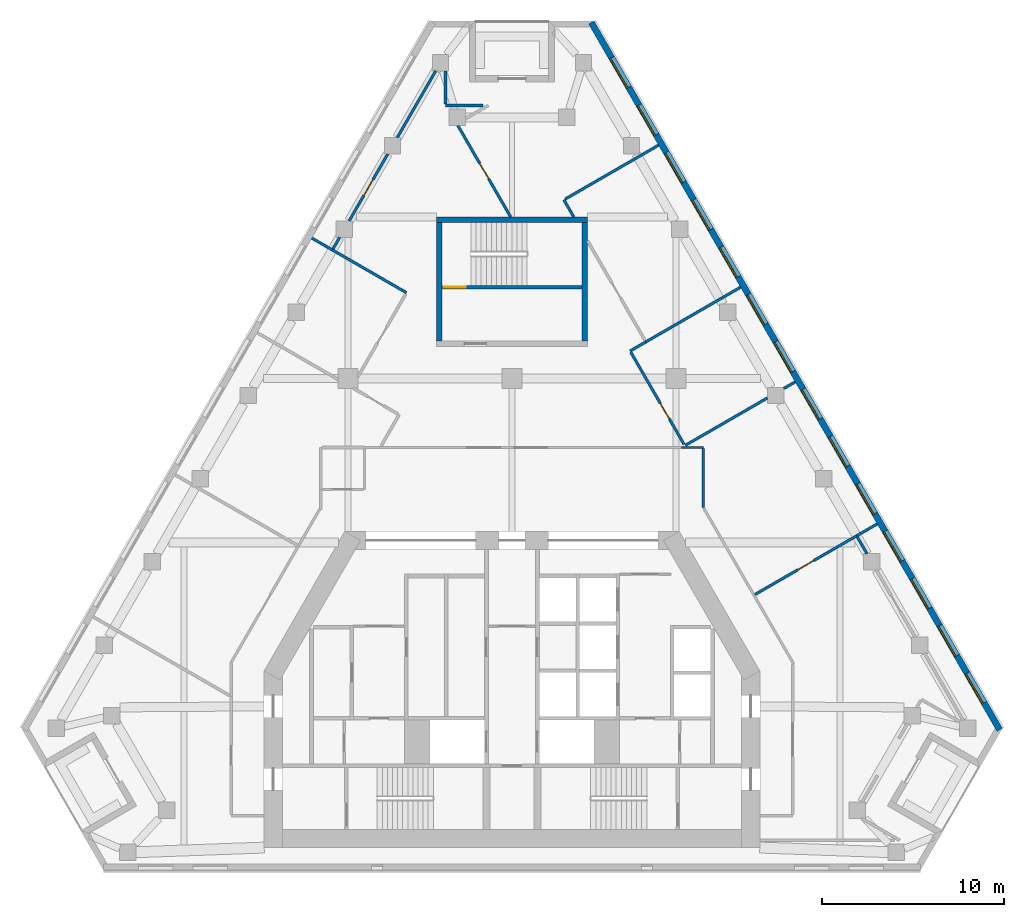
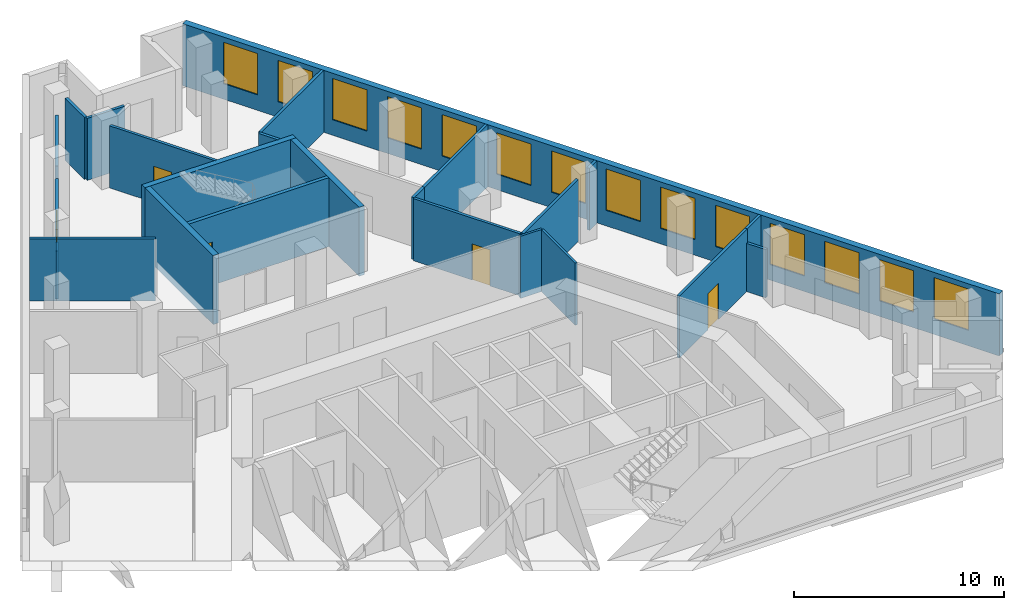
# One storey, part 6 of 8: 25 walls, 14 windows, 5 doors, 19 openings.
"""IFC4 building model written with IfcOpenShell, lengths in metres."""

from ifc_helpers import new_model, si_unit, direction, frame, frame_2d, origin, place, context, subcontext, project, spatial, rectangle, extrude, material, layer, layer_set, type_object, element, fill, save


model = new_model("IFC4")

# Units and contexts
model_context = context("Model", 3, precision=1e-05, world=origin(), true_north=direction((0.0, 1.0)))
body_context = subcontext(model_context, "Body", "Model", "MODEL_VIEW")
ifc_project = project(units=[si_unit("LENGTHUNIT", "METRE"), si_unit("AREAUNIT", "SQUARE_METRE"), si_unit("VOLUMEUNIT", "CUBIC_METRE"), si_unit("PLANEANGLEUNIT", "RADIAN"), si_unit("MASSUNIT", "GRAM", prefix="KILO")], contexts=[model_context])

# Site, building, storey
site_placement = place(None, origin())
site = spatial("IfcSite", under=ifc_project, at=site_placement, CompositionType="ELEMENT")
building_placement = place(site_placement, origin())
building = spatial("IfcBuilding", under=site, at=building_placement, Name="Fogline Exchange Tower", CompositionType="ELEMENT")
storey_placement = place(building_placement, frame((0.0, 0.0, 223.5)))
storey = spatial("IfcBuildingStorey", under=building, at=storey_placement, Name="L50", CompositionType="ELEMENT", Elevation=223.5)

# Wall, opening, door
ifc_material_1 = material(Name="Concrete C40", Category="concrete")
ifc_layer_1 = layer(ifc_material_1, 0.199951171875)
ifc_layer_set_1 = layer_set([ifc_layer_1], Name="CW20R")
wall_type_1 = type_object("IfcWallType", Name="CW20R", PredefinedType="SOLIDWALL", material=ifc_layer_set_1)
wall_1_placement = place(storey_placement, frame((-3.85009765625, 32.007080078125, -0.39990234375), z_axis=(0.0, 0.0, 1.0), x_axis=(1.0, 0.0, 0.0)))
wall_1 = element("IfcWall", 1, at=wall_1_placement, inside=storey, type_object=wall_type_1, Name="Stair enclosure wall ST3", PredefinedType="SOLIDWALL", context=body_context, shape_type="SweptSolid", body=[
    extrude(rectangle(XDim=7.7001953125, YDim=0.199951171875, at=frame_2d((3.85009765625, 0.0))), origin(), (0.0, 0.0, 1.0), 4.0),
])
opening_1_placement = place(wall_1_placement, frame((0.10009765625, 0.0, 0.39990234375)))
opening_1 = element("IfcOpeningElement", 2, at=opening_1_placement, cuts=wall_1, Name="Opening T16-C023", PredefinedType="OPENING", context=body_context, shape_type="SweptSolid", body=[
    extrude(rectangle(XDim=1.199951171875, YDim=2.10009765625, at=frame_2d((0.60009765625, 1.050048828125))), frame((0.0, 0.10986328125, 0.0), z_axis=(0.0, -1.0, 0.0), x_axis=(1.0, 0.0, 0.0)), (0.0, 0.0, 1.0), 0.219970703125),
])
ifc_material_2 = material(Name="Steel and timber fire door", Category="steel")
door_type_1 = type_object("IfcDoorType", Name="D-ST1", OperationType="SINGLE_SWING_LEFT", PredefinedType="DOOR", material=ifc_material_2)
door_1_placement = place(opening_1_placement, origin())
door_1 = element("IfcDoor", 3, at=door_1_placement, inside=storey, type_object=door_type_1, Name="Stair door ST3", OperationType="SINGLE_SWING_LEFT", OverallHeight=2.10009765625, OverallWidth=1.199951171875, PredefinedType="DOOR", context=body_context, shape_type="SweptSolid", body=[
    extrude(rectangle(XDim=1.199951171875, YDim=2.10009765625, at=frame_2d((0.60009765625, 1.050048828125))), frame((0.0, 0.02490234375, 0.0), z_axis=(0.0, -1.0, 0.0), x_axis=(1.0, 0.0, 0.0)), (0.0, 0.0, 1.0), 0.050048828125),
])
fill(opening_1, door_1)

# Walls
ifc_layer_2 = layer(ifc_material_1, 0.300048828125)
ifc_layer_set_2 = layer_set([ifc_layer_2], Name="CW30")
wall_type_2 = type_object("IfcWallType", Name="CW30", PredefinedType="SOLIDWALL", material=ifc_layer_set_2)
wall_2_placement = place(storey_placement, frame((-4.14990234375, 35.70703125, -0.39990234375), z_axis=(0.0, 0.0, 1.0), x_axis=(1.0, 0.0, 0.0)))
element("IfcWall", 4, at=wall_2_placement, inside=storey, type_object=wall_type_2, Name="Stair enclosure wall ST3", PredefinedType="SOLIDWALL", context=body_context, shape_type="SweptSolid", body=[
    extrude(rectangle(XDim=8.2998046875, YDim=0.300048828125, at=frame_2d((4.14990234375, 0.0))), origin(), (0.0, 0.0, 1.0), 4.0),
])
for number, where, z_axis, x_axis, name in (
    (5, (-4.0, 29.056884765625, -0.39990234375), (0.0, 0.0, 1.0), (0.0, 1.0, 0.0), "Stair enclosure wall ST3"),
    (6, (4.0, 29.056884765625, -0.39990234375), (0.0, 0.0, 1.0), (0.0, 1.0, 0.0), "Stair enclosure wall ST3"),
):
    element("IfcWall", number, at=place(storey_placement, frame(where, z_axis=z_axis, x_axis=x_axis)), inside=storey, type_object=wall_type_2, Name=name, PredefinedType="SOLIDWALL", context=body_context, shape_type="SweptSolid", body=[
        extrude(rectangle(XDim=6.5, YDim=0.300048828125, at=frame_2d((3.25, 0.0))), origin(), (0.0, 0.0, 1.0), 4.0),
    ])

# Wall, openings, windows
ifc_material_3 = material(Name="Brick masonry", Category="masonry")
ifc_layer_3 = layer(ifc_material_3, 0.340087890625)
ifc_layer_set_3 = layer_set([ifc_layer_3], Name="FW1")
wall_type_3 = type_object("IfcWallType", Name="FW1", PredefinedType="SOLIDWALL", material=ifc_layer_set_3)
wall_3_placement = place(storey_placement, frame((26.766845703125, 7.709228515625, 0.0), z_axis=(0.0, 0.0, 1.0), x_axis=(-0.499997926022, 0.866026601193, 0.0)))
wall_3 = element("IfcWall", 7, at=wall_3_placement, inside=storey, type_object=wall_type_3, Name="Brick wall L50 E", PredefinedType="SOLIDWALL", context=body_context, shape_type="SweptSolid", body=[
    extrude(rectangle(XDim=44.828369140625, YDim=0.340087890625, at=frame_2d((22.4140625, 0.0))), origin(), (0.0, 0.0, 1.0), 3.60009765625),
])
opening_2_placement = place(wall_3_placement, frame((1.70703125, 0.0, 0.89990234375)))
opening_2 = element("IfcOpeningElement", 8, at=opening_2_placement, cuts=wall_3, Name="Opening W1", PredefinedType="OPENING", context=body_context, shape_type="SweptSolid", body=[
    extrude(rectangle(XDim=1.885009765625, YDim=2.39990234375, at=frame_2d((0.9423828125, 1.199951171875))), frame((0.0, 0.18017578125, 0.0), z_axis=(0.0, -1.0, 0.0), x_axis=(1.0, 0.0, 0.0)), (0.0, 0.0, 1.0), 0.360107421875),
])
opening_3_placement = place(wall_3_placement, frame((4.70703125, 0.0, 0.89990234375)))
opening_3 = element("IfcOpeningElement", 9, at=opening_3_placement, cuts=wall_3, Name="Opening W1", PredefinedType="OPENING", context=body_context, shape_type="SweptSolid", body=[
    extrude(rectangle(XDim=1.885009765625, YDim=2.39990234375, at=frame_2d((0.9423828125, 1.199951171875))), frame((0.0, 0.18017578125, 0.0), z_axis=(0.0, -1.0, 0.0), x_axis=(1.0, 0.0, 0.0)), (0.0, 0.0, 1.0), 0.360107421875),
])
opening_4_placement = place(wall_3_placement, frame((7.70703125, 0.0, 0.89990234375)))
opening_4 = element("IfcOpeningElement", 10, at=opening_4_placement, cuts=wall_3, Name="Opening W1", PredefinedType="OPENING", context=body_context, shape_type="SweptSolid", body=[
    extrude(rectangle(XDim=1.885009765625, YDim=2.39990234375, at=frame_2d((0.9423828125, 1.199951171875))), frame((0.0, 0.18017578125, 0.0), z_axis=(0.0, -1.0, 0.0), x_axis=(1.0, 0.0, 0.0)), (0.0, 0.0, 1.0), 0.360107421875),
])
opening_5_placement = place(wall_3_placement, frame((10.70703125, 0.0, 0.89990234375)))
opening_5 = element("IfcOpeningElement", 11, at=opening_5_placement, cuts=wall_3, Name="Opening W1", PredefinedType="OPENING", context=body_context, shape_type="SweptSolid", body=[
    extrude(rectangle(XDim=1.885009765625, YDim=2.39990234375, at=frame_2d((0.9423828125, 1.199951171875))), frame((0.0, 0.18017578125, 0.0), z_axis=(0.0, -1.0, 0.0), x_axis=(1.0, 0.0, 0.0)), (0.0, 0.0, 1.0), 0.360107421875),
])
opening_6_placement = place(wall_3_placement, frame((13.70703125, 0.0, 0.89990234375)))
opening_6 = element("IfcOpeningElement", 12, at=opening_6_placement, cuts=wall_3, Name="Opening W1", PredefinedType="OPENING", context=body_context, shape_type="SweptSolid", body=[
    extrude(rectangle(XDim=1.885009765625, YDim=2.39990234375, at=frame_2d((0.9423828125, 1.199951171875))), frame((0.0, 0.18017578125, 0.0), z_axis=(0.0, -1.0, 0.0), x_axis=(1.0, 0.0, 0.0)), (0.0, 0.0, 1.0), 0.360107421875),
])
opening_7_placement = place(wall_3_placement, frame((16.70703125, 0.0, 0.89990234375)))
opening_7 = element("IfcOpeningElement", 13, at=opening_7_placement, cuts=wall_3, Name="Opening W1", PredefinedType="OPENING", context=body_context, shape_type="SweptSolid", body=[
    extrude(rectangle(XDim=1.885009765625, YDim=2.39990234375, at=frame_2d((0.9423828125, 1.199951171875))), frame((0.0, 0.18017578125, 0.0), z_axis=(0.0, -1.0, 0.0), x_axis=(1.0, 0.0, 0.0)), (0.0, 0.0, 1.0), 0.360107421875),
])
opening_8_placement = place(wall_3_placement, frame((19.70703125, 0.0, 0.89990234375)))
opening_8 = element("IfcOpeningElement", 14, at=opening_8_placement, cuts=wall_3, Name="Opening W1", PredefinedType="OPENING", context=body_context, shape_type="SweptSolid", body=[
    extrude(rectangle(XDim=1.885009765625, YDim=2.39990234375, at=frame_2d((0.9423828125, 1.199951171875))), frame((0.0, 0.18017578125, 0.0), z_axis=(0.0, -1.0, 0.0), x_axis=(1.0, 0.0, 0.0)), (0.0, 0.0, 1.0), 0.360107421875),
])
opening_9_placement = place(wall_3_placement, frame((22.70703125, 0.0, 0.89990234375)))
opening_9 = element("IfcOpeningElement", 15, at=opening_9_placement, cuts=wall_3, Name="Opening W1", PredefinedType="OPENING", context=body_context, shape_type="SweptSolid", body=[
    extrude(rectangle(XDim=1.885009765625, YDim=2.39990234375, at=frame_2d((0.9423828125, 1.199951171875))), frame((0.0, 0.18017578125, 0.0), z_axis=(0.0, -1.0, 0.0), x_axis=(1.0, 0.0, 0.0)), (0.0, 0.0, 1.0), 0.360107421875),
])
opening_10_placement = place(wall_3_placement, frame((25.70703125, 0.0, 0.89990234375)))
opening_10 = element("IfcOpeningElement", 16, at=opening_10_placement, cuts=wall_3, Name="Opening W1", PredefinedType="OPENING", context=body_context, shape_type="SweptSolid", body=[
    extrude(rectangle(XDim=1.885009765625, YDim=2.39990234375, at=frame_2d((0.9423828125, 1.199951171875))), frame((0.0, 0.18017578125, 0.0), z_axis=(0.0, -1.0, 0.0), x_axis=(1.0, 0.0, 0.0)), (0.0, 0.0, 1.0), 0.360107421875),
])
opening_11_placement = place(wall_3_placement, frame((28.70703125, 0.0, 0.89990234375)))
opening_11 = element("IfcOpeningElement", 17, at=opening_11_placement, cuts=wall_3, Name="Opening W1", PredefinedType="OPENING", context=body_context, shape_type="SweptSolid", body=[
    extrude(rectangle(XDim=1.885009765625, YDim=2.39990234375, at=frame_2d((0.9423828125, 1.199951171875))), frame((0.0, 0.18017578125, 0.0), z_axis=(0.0, -1.0, 0.0), x_axis=(1.0, 0.0, 0.0)), (0.0, 0.0, 1.0), 0.360107421875),
])
opening_12_placement = place(wall_3_placement, frame((31.70703125, 0.0, 0.89990234375)))
opening_12 = element("IfcOpeningElement", 18, at=opening_12_placement, cuts=wall_3, Name="Opening W1", PredefinedType="OPENING", context=body_context, shape_type="SweptSolid", body=[
    extrude(rectangle(XDim=1.885009765625, YDim=2.39990234375, at=frame_2d((0.9423828125, 1.199951171875))), frame((0.0, 0.18017578125, 0.0), z_axis=(0.0, -1.0, 0.0), x_axis=(1.0, 0.0, 0.0)), (0.0, 0.0, 1.0), 0.360107421875),
])
opening_13_placement = place(wall_3_placement, frame((34.70703125, 0.0, 0.89990234375)))
opening_13 = element("IfcOpeningElement", 19, at=opening_13_placement, cuts=wall_3, Name="Opening W1", PredefinedType="OPENING", context=body_context, shape_type="SweptSolid", body=[
    extrude(rectangle(XDim=1.885009765625, YDim=2.39990234375, at=frame_2d((0.9423828125, 1.199951171875))), frame((0.0, 0.18017578125, 0.0), z_axis=(0.0, -1.0, 0.0), x_axis=(1.0, 0.0, 0.0)), (0.0, 0.0, 1.0), 0.360107421875),
])
opening_14_placement = place(wall_3_placement, frame((37.70703125, 0.0, 0.89990234375)))
opening_14 = element("IfcOpeningElement", 20, at=opening_14_placement, cuts=wall_3, Name="Opening W1", PredefinedType="OPENING", context=body_context, shape_type="SweptSolid", body=[
    extrude(rectangle(XDim=1.885009765625, YDim=2.39990234375, at=frame_2d((0.9423828125, 1.199951171875))), frame((0.0, 0.18017578125, 0.0), z_axis=(0.0, -1.0, 0.0), x_axis=(1.0, 0.0, 0.0)), (0.0, 0.0, 1.0), 0.360107421875),
])
opening_15_placement = place(wall_3_placement, frame((40.70703125, 0.0, 0.89990234375)))
opening_15 = element("IfcOpeningElement", 21, at=opening_15_placement, cuts=wall_3, Name="Opening W1", PredefinedType="OPENING", context=body_context, shape_type="SweptSolid", body=[
    extrude(rectangle(XDim=1.885009765625, YDim=2.39990234375, at=frame_2d((0.9423828125, 1.199951171875))), frame((0.0, 0.18017578125, 0.0), z_axis=(0.0, -1.0, 0.0), x_axis=(1.0, 0.0, 0.0)), (0.0, 0.0, 1.0), 0.360107421875),
])
ifc_material_4 = material(Name="Aluminium and glass", Category="aluminium")
window_type = type_object("IfcWindowType", Name="W1", PartitioningType="SINGLE_PANEL", PredefinedType="WINDOW", material=ifc_material_4)
window_1_placement = place(opening_2_placement, origin())
window_1 = element("IfcWindow", 22, at=window_1_placement, inside=storey, type_object=window_type, Name="W1 W1", OverallHeight=2.39990234375, OverallWidth=1.885009765625, PartitioningType="SINGLE_PANEL", PredefinedType="WINDOW", context=body_context, shape_type="SweptSolid", body=[
    extrude(rectangle(XDim=1.885009765625, YDim=2.39990234375, at=frame_2d((0.9423828125, 1.199951171875))), frame((0.0, 0.110107421875, 0.0), z_axis=(0.0, -1.0, 0.0), x_axis=(1.0, 0.0, 0.0)), (0.0, 0.0, 1.0), 0.06005859375),
])
fill(opening_2, window_1)
window_2_placement = place(opening_3_placement, origin())
window_2 = element("IfcWindow", 23, at=window_2_placement, inside=storey, type_object=window_type, Name="W1 W1", OverallHeight=2.39990234375, OverallWidth=1.885009765625, PartitioningType="SINGLE_PANEL", PredefinedType="WINDOW", context=body_context, shape_type="SweptSolid", body=[
    extrude(rectangle(XDim=1.885009765625, YDim=2.39990234375, at=frame_2d((0.9423828125, 1.199951171875))), frame((0.0, 0.110107421875, 0.0), z_axis=(0.0, -1.0, 0.0), x_axis=(1.0, 0.0, 0.0)), (0.0, 0.0, 1.0), 0.06005859375),
])
fill(opening_3, window_2)
window_3_placement = place(opening_4_placement, origin())
window_3 = element("IfcWindow", 24, at=window_3_placement, inside=storey, type_object=window_type, Name="W1 W1", OverallHeight=2.39990234375, OverallWidth=1.885009765625, PartitioningType="SINGLE_PANEL", PredefinedType="WINDOW", context=body_context, shape_type="SweptSolid", body=[
    extrude(rectangle(XDim=1.885009765625, YDim=2.39990234375, at=frame_2d((0.9423828125, 1.199951171875))), frame((0.0, 0.110107421875, 0.0), z_axis=(0.0, -1.0, 0.0), x_axis=(1.0, 0.0, 0.0)), (0.0, 0.0, 1.0), 0.06005859375),
])
fill(opening_4, window_3)
window_4_placement = place(opening_5_placement, origin())
window_4 = element("IfcWindow", 25, at=window_4_placement, inside=storey, type_object=window_type, Name="W1 W1", OverallHeight=2.39990234375, OverallWidth=1.885009765625, PartitioningType="SINGLE_PANEL", PredefinedType="WINDOW", context=body_context, shape_type="SweptSolid", body=[
    extrude(rectangle(XDim=1.885009765625, YDim=2.39990234375, at=frame_2d((0.9423828125, 1.199951171875))), frame((0.0, 0.110107421875, 0.0), z_axis=(0.0, -1.0, 0.0), x_axis=(1.0, 0.0, 0.0)), (0.0, 0.0, 1.0), 0.06005859375),
])
fill(opening_5, window_4)
window_5_placement = place(opening_6_placement, origin())
window_5 = element("IfcWindow", 26, at=window_5_placement, inside=storey, type_object=window_type, Name="W1 W1", OverallHeight=2.39990234375, OverallWidth=1.885009765625, PartitioningType="SINGLE_PANEL", PredefinedType="WINDOW", context=body_context, shape_type="SweptSolid", body=[
    extrude(rectangle(XDim=1.885009765625, YDim=2.39990234375, at=frame_2d((0.9423828125, 1.199951171875))), frame((0.0, 0.110107421875, 0.0), z_axis=(0.0, -1.0, 0.0), x_axis=(1.0, 0.0, 0.0)), (0.0, 0.0, 1.0), 0.06005859375),
])
fill(opening_6, window_5)
window_6_placement = place(opening_7_placement, origin())
window_6 = element("IfcWindow", 27, at=window_6_placement, inside=storey, type_object=window_type, Name="W1 W1", OverallHeight=2.39990234375, OverallWidth=1.885009765625, PartitioningType="SINGLE_PANEL", PredefinedType="WINDOW", context=body_context, shape_type="SweptSolid", body=[
    extrude(rectangle(XDim=1.885009765625, YDim=2.39990234375, at=frame_2d((0.9423828125, 1.199951171875))), frame((0.0, 0.110107421875, 0.0), z_axis=(0.0, -1.0, 0.0), x_axis=(1.0, 0.0, 0.0)), (0.0, 0.0, 1.0), 0.06005859375),
])
fill(opening_7, window_6)
window_7_placement = place(opening_8_placement, origin())
window_7 = element("IfcWindow", 28, at=window_7_placement, inside=storey, type_object=window_type, Name="W1 W1", OverallHeight=2.39990234375, OverallWidth=1.885009765625, PartitioningType="SINGLE_PANEL", PredefinedType="WINDOW", context=body_context, shape_type="SweptSolid", body=[
    extrude(rectangle(XDim=1.885009765625, YDim=2.39990234375, at=frame_2d((0.9423828125, 1.199951171875))), frame((0.0, 0.110107421875, 0.0), z_axis=(0.0, -1.0, 0.0), x_axis=(1.0, 0.0, 0.0)), (0.0, 0.0, 1.0), 0.06005859375),
])
fill(opening_8, window_7)
window_8_placement = place(opening_9_placement, origin())
window_8 = element("IfcWindow", 29, at=window_8_placement, inside=storey, type_object=window_type, Name="W1 W1", OverallHeight=2.39990234375, OverallWidth=1.885009765625, PartitioningType="SINGLE_PANEL", PredefinedType="WINDOW", context=body_context, shape_type="SweptSolid", body=[
    extrude(rectangle(XDim=1.885009765625, YDim=2.39990234375, at=frame_2d((0.9423828125, 1.199951171875))), frame((0.0, 0.110107421875, 0.0), z_axis=(0.0, -1.0, 0.0), x_axis=(1.0, 0.0, 0.0)), (0.0, 0.0, 1.0), 0.06005859375),
])
fill(opening_9, window_8)
window_9_placement = place(opening_10_placement, origin())
window_9 = element("IfcWindow", 30, at=window_9_placement, inside=storey, type_object=window_type, Name="W1 W1", OverallHeight=2.39990234375, OverallWidth=1.885009765625, PartitioningType="SINGLE_PANEL", PredefinedType="WINDOW", context=body_context, shape_type="SweptSolid", body=[
    extrude(rectangle(XDim=1.885009765625, YDim=2.39990234375, at=frame_2d((0.9423828125, 1.199951171875))), frame((0.0, 0.110107421875, 0.0), z_axis=(0.0, -1.0, 0.0), x_axis=(1.0, 0.0, 0.0)), (0.0, 0.0, 1.0), 0.06005859375),
])
fill(opening_10, window_9)
window_10_placement = place(opening_11_placement, origin())
window_10 = element("IfcWindow", 31, at=window_10_placement, inside=storey, type_object=window_type, Name="W1 W1", OverallHeight=2.39990234375, OverallWidth=1.885009765625, PartitioningType="SINGLE_PANEL", PredefinedType="WINDOW", context=body_context, shape_type="SweptSolid", body=[
    extrude(rectangle(XDim=1.885009765625, YDim=2.39990234375, at=frame_2d((0.9423828125, 1.199951171875))), frame((0.0, 0.110107421875, 0.0), z_axis=(0.0, -1.0, 0.0), x_axis=(1.0, 0.0, 0.0)), (0.0, 0.0, 1.0), 0.06005859375),
])
fill(opening_11, window_10)
window_11_placement = place(opening_12_placement, origin())
window_11 = element("IfcWindow", 32, at=window_11_placement, inside=storey, type_object=window_type, Name="W1 W1", OverallHeight=2.39990234375, OverallWidth=1.885009765625, PartitioningType="SINGLE_PANEL", PredefinedType="WINDOW", context=body_context, shape_type="SweptSolid", body=[
    extrude(rectangle(XDim=1.885009765625, YDim=2.39990234375, at=frame_2d((0.9423828125, 1.199951171875))), frame((0.0, 0.110107421875, 0.0), z_axis=(0.0, -1.0, 0.0), x_axis=(1.0, 0.0, 0.0)), (0.0, 0.0, 1.0), 0.06005859375),
])
fill(opening_12, window_11)
window_12_placement = place(opening_13_placement, origin())
window_12 = element("IfcWindow", 33, at=window_12_placement, inside=storey, type_object=window_type, Name="W1 W1", OverallHeight=2.39990234375, OverallWidth=1.885009765625, PartitioningType="SINGLE_PANEL", PredefinedType="WINDOW", context=body_context, shape_type="SweptSolid", body=[
    extrude(rectangle(XDim=1.885009765625, YDim=2.39990234375, at=frame_2d((0.9423828125, 1.199951171875))), frame((0.0, 0.110107421875, 0.0), z_axis=(0.0, -1.0, 0.0), x_axis=(1.0, 0.0, 0.0)), (0.0, 0.0, 1.0), 0.06005859375),
])
fill(opening_13, window_12)
window_13_placement = place(opening_14_placement, origin())
window_13 = element("IfcWindow", 34, at=window_13_placement, inside=storey, type_object=window_type, Name="W1 W1", OverallHeight=2.39990234375, OverallWidth=1.885009765625, PartitioningType="SINGLE_PANEL", PredefinedType="WINDOW", context=body_context, shape_type="SweptSolid", body=[
    extrude(rectangle(XDim=1.885009765625, YDim=2.39990234375, at=frame_2d((0.9423828125, 1.199951171875))), frame((0.0, 0.110107421875, 0.0), z_axis=(0.0, -1.0, 0.0), x_axis=(1.0, 0.0, 0.0)), (0.0, 0.0, 1.0), 0.06005859375),
])
fill(opening_14, window_13)
window_14_placement = place(opening_15_placement, origin())
window_14 = element("IfcWindow", 35, at=window_14_placement, inside=storey, type_object=window_type, Name="W1 W1", OverallHeight=2.39990234375, OverallWidth=1.885009765625, PartitioningType="SINGLE_PANEL", PredefinedType="WINDOW", context=body_context, shape_type="SweptSolid", body=[
    extrude(rectangle(XDim=1.885009765625, YDim=2.39990234375, at=frame_2d((0.9423828125, 1.199951171875))), frame((0.0, 0.110107421875, 0.0), z_axis=(0.0, -1.0, 0.0), x_axis=(1.0, 0.0, 0.0)), (0.0, 0.0, 1.0), 0.06005859375),
])
fill(opening_15, window_14)

# Walls
ifc_material_5 = material(Name="Plasterboard corridor partition with mineral wool, 2 layers each side")
ifc_layer_4 = layer(ifc_material_5, 0.125)
ifc_layer_set_4 = layer_set([ifc_layer_4], Name="PW2")
wall_type_4 = type_object("IfcWallType", Name="PW2", PredefinedType="PARTITIONING", material=ifc_layer_set_4)
wall_4_placement = place(storey_placement, frame((9.298583984375, 23.199951171875, 0.0), z_axis=(0.0, 0.0, 1.0), x_axis=(1.0, 0.0, 0.0)))
element("IfcWall", 36, at=wall_4_placement, inside=storey, type_object=wall_type_4, Name="wall-L50-W005", PredefinedType="PARTITIONING", context=body_context, shape_type="SweptSolid", body=[
    extrude(rectangle(XDim=1.201416015625, YDim=0.125, at=frame_2d((0.6005859375, 0.0))), origin(), (0.0, 0.0, 1.0), 3.60009765625),
])
wall_5_placement = place(storey_placement, frame((10.5, 23.137451171875, 0.0), z_axis=(0.0, 0.0, 1.0), x_axis=(0.0, -1.0, 0.0)))
element("IfcWall", 37, at=wall_5_placement, inside=storey, type_object=wall_type_4, Name="wall-L50-W006", PredefinedType="PARTITIONING", context=body_context, shape_type="SweptSolid", body=[
    extrude(rectangle(XDim=3.22265625, YDim=0.125, at=frame_2d((1.611328125, 0.0))), origin(), (0.0, 0.0, 1.0), 3.60009765625),
])
ifc_material_6 = material(Name="Plasterboard demising partition with mineral wool and acoustic board")
ifc_layer_5 = layer(ifc_material_6, 0.14990234375)
ifc_layer_set_5 = layer_set([ifc_layer_5], Name="PW3")
wall_type_5 = type_object("IfcWallType", Name="PW3", PredefinedType="PARTITIONING", material=ifc_layer_set_5)
wall_6_placement = place(storey_placement, frame((9.519775390625, 23.32763671875, 0.0), z_axis=(0.0, 0.0, 1.0), x_axis=(0.866033762504, 0.499985521993, 0.0)))
element("IfcWall", 38, at=wall_6_placement, inside=storey, type_object=wall_type_5, Name="wall-L50-W017", PredefinedType="PARTITIONING", context=body_context, shape_type="SweptSolid", body=[
    extrude(rectangle(XDim=5.195068359375, YDim=0.14990234375, at=frame_2d((2.59765625, 0.0))), origin(), (0.0, 0.0, 1.0), 3.60009765625),
])
wall_7_placement = place(storey_placement, frame((14.918701171875, 26.444580078125, 0.0), z_axis=(0.0, 0.0, 1.0), x_axis=(0.865865073245, 0.500277597875, 0.0)))
element("IfcWall", 39, at=wall_7_placement, inside=storey, type_object=wall_type_5, Name="wall-L50-W018", PredefinedType="PARTITIONING", context=body_context, shape_type="SweptSolid", body=[
    extrude(rectangle(XDim=0.72314453125, YDim=0.14990234375, at=frame_2d((0.361572265625, 0.0))), origin(), (0.0, 0.0, 1.0), 3.60009765625),
])
wall_8_placement = place(storey_placement, frame((20.044921875, 19.01220703125, 0.0), z_axis=(0.0, 0.0, 1.0), x_axis=(-0.865989304205, -0.500062521093, 0.0)))
element("IfcWall", 40, at=wall_8_placement, inside=storey, type_object=wall_type_5, Name="wall-L50-W019", PredefinedType="PARTITIONING", context=body_context, shape_type="SweptSolid", body=[
    extrude(rectangle(XDim=1.304931640625, YDim=0.14990234375, at=frame_2d((0.65234375, 0.0))), origin(), (0.0, 0.0, 1.0), 3.60009765625),
])

# Wall, opening, door
wall_9_placement = place(storey_placement, frame((18.914794921875, 18.359619140625, 0.0), z_axis=(0.0, 0.0, 1.0), x_axis=(-0.866025414547, -0.499999981359, 0.0)))
wall_9 = element("IfcWall", 41, at=wall_9_placement, inside=storey, type_object=wall_type_5, Name="wall-L50-W020", PredefinedType="PARTITIONING", context=body_context, shape_type="SweptSolid", body=[
    extrude(rectangle(XDim=6.447265625, YDim=0.14990234375, at=frame_2d((3.2236328125, 0.0))), origin(), (0.0, 0.0, 1.0), 3.60009765625),
])
opening_16_placement = place(wall_9_placement, frame((2.7236328125, 0.0, 0.0)))
opening_16 = element("IfcOpeningElement", 42, at=opening_16_placement, cuts=wall_9, Name="Opening T16-D007", PredefinedType="OPENING", context=body_context, shape_type="SweptSolid", body=[
    extrude(rectangle(XDim=1.0, YDim=2.10009765625, at=frame_2d((0.5, 1.050048828125))), frame((0.0, 0.0849609375, 0.0), z_axis=(0.0, -1.0, 0.0), x_axis=(1.0, 0.0, 0.0)), (0.0, 0.0, 1.0), 0.169921875),
])
ifc_material_7 = material(Name="Fire-rated timber door leaf with steel frame", Category="steel")
door_type_2 = type_object("IfcDoorType", Name="D3", OperationType="SINGLE_SWING_LEFT", PredefinedType="DOOR", material=ifc_material_7)
door_2_placement = place(opening_16_placement, frame((1.0, 0.0, 0.0), z_axis=(0.0, 0.0, 1.0), x_axis=(-1.0, 0.0, 0.0)))
door_2 = element("IfcDoor", 43, at=door_2_placement, inside=storey, type_object=door_type_2, Name="door-L50-D007", OperationType="SINGLE_SWING_RIGHT", OverallHeight=2.10009765625, OverallWidth=1.0, PredefinedType="DOOR", context=body_context, shape_type="SweptSolid", body=[
    extrude(rectangle(XDim=1.0, YDim=2.10009765625, at=frame_2d((0.5, 1.050048828125))), frame((0.0, 0.02490234375, 0.0), z_axis=(0.0, -1.0, 0.0), x_axis=(1.0, 0.0, 0.0)), (0.0, 0.0, 1.0), 0.050048828125),
])
fill(opening_16, door_2)

# Wall
wall_10_placement = place(storey_placement, frame((7.348876953125, 29.00244140625, 0.0), z_axis=(0.0, 0.0, 1.0), x_axis=(0.866020924479, 0.500007758305, 0.0)))
element("IfcWall", 44, at=wall_10_placement, inside=storey, type_object=wall_type_5, Name="wall-L50-W021", PredefinedType="PARTITIONING", context=body_context, shape_type="SweptSolid", body=[
    extrude(rectangle(XDim=6.0, YDim=0.14990234375, at=frame_2d((3.0, 0.0))), origin(), (0.0, 0.0, 1.0), 3.60009765625),
])

# Wall, opening, door
wall_11_placement = place(storey_placement, frame((9.4453125, 23.371337890625, 0.0), z_axis=(0.0, 0.0, 1.0), x_axis=(-0.500012662943, 0.866018092707, 0.0)))
wall_11 = element("IfcWall", 45, at=wall_11_placement, inside=storey, type_object=wall_type_5, Name="wall-L50-W022", PredefinedType="PARTITIONING", context=body_context, shape_type="SweptSolid", body=[
    extrude(rectangle(XDim=5.849853515625, YDim=0.14990234375, at=frame_2d((2.9248046875, 0.0))), origin(), (0.0, 0.0, 1.0), 3.60009765625),
])
opening_17_placement = place(wall_11_placement, frame((1.634033203125, 0.0, 0.0)))
opening_17 = element("IfcOpeningElement", 46, at=opening_17_placement, cuts=wall_11, Name="Opening T16-D008", PredefinedType="OPENING", context=body_context, shape_type="SweptSolid", body=[
    extrude(rectangle(XDim=1.0, YDim=2.10009765625, at=frame_2d((0.5, 1.050048828125))), frame((0.0, 0.0849609375, 0.0), z_axis=(0.0, -1.0, 0.0), x_axis=(1.0, 0.0, 0.0)), (0.0, 0.0, 1.0), 0.169921875),
])
door_3_placement = place(opening_17_placement, frame((1.0, 0.0, 0.0), z_axis=(0.0, 0.0, 1.0), x_axis=(-1.0, 0.0, 0.0)))
door_3 = element("IfcDoor", 47, at=door_3_placement, inside=storey, type_object=door_type_2, Name="door-L50-D008", OperationType="SINGLE_SWING_RIGHT", OverallHeight=2.10009765625, OverallWidth=1.0, PredefinedType="DOOR", context=body_context, shape_type="SweptSolid", body=[
    extrude(rectangle(XDim=1.0, YDim=2.10009765625, at=frame_2d((0.5, 1.050048828125))), frame((0.0, 0.02490234375, 0.0), z_axis=(0.0, -1.0, 0.0), x_axis=(1.0, 0.0, 0.0)), (0.0, 0.0, 1.0), 0.050048828125),
])
fill(opening_17, door_3)

# Walls
wall_12_placement = place(storey_placement, frame((6.482666015625, 28.50244140625, 0.0), z_axis=(0.0, 0.0, 1.0), x_axis=(0.866071776036, 0.499919672301, 0.0)))
element("IfcWall", 48, at=wall_12_placement, inside=storey, type_object=wall_type_5, Name="wall-L50-W023", PredefinedType="PARTITIONING", context=body_context, shape_type="SweptSolid", body=[
    extrude(rectangle(XDim=1.000244140625, YDim=0.14990234375, at=frame_2d((0.5, 0.0))), origin(), (0.0, 0.0, 1.0), 3.60009765625),
])
wall_13_placement = place(storey_placement, frame((3.391357421875, 35.85693359375, 0.0), z_axis=(0.0, 0.0, 1.0), x_axis=(-0.499962673433, 0.866046953215, 0.0)))
element("IfcWall", 49, at=wall_13_placement, inside=storey, type_object=wall_type_5, Name="wall-L50-W024", PredefinedType="PARTITIONING", context=body_context, shape_type="SweptSolid", body=[
    extrude(rectangle(XDim=1.0849609375, YDim=0.14990234375, at=frame_2d((0.54248046875, 0.0))), origin(), (0.0, 0.0, 1.0), 3.60009765625),
])
wall_14_placement = place(storey_placement, frame((2.913818359375, 36.834228515625, 0.0), z_axis=(0.0, 0.0, 1.0), x_axis=(0.866028447878, 0.499994727438, 0.0)))
element("IfcWall", 50, at=wall_14_placement, inside=storey, type_object=wall_type_5, Name="wall-L50-W025", PredefinedType="PARTITIONING", context=body_context, shape_type="SweptSolid", body=[
    extrude(rectangle(XDim=5.9248046875, YDim=0.14990234375, at=frame_2d((2.96240234375, 0.0))), origin(), (0.0, 0.0, 1.0), 3.60009765625),
])

# Wall, opening, door
wall_15_placement = place(storey_placement, frame((-0.07275390625, 35.85693359375, 0.0), z_axis=(0.0, 0.0, 1.0), x_axis=(-0.500003194204, 0.866023559602, 0.0)))
wall_15 = element("IfcWall", 51, at=wall_15_placement, inside=storey, type_object=wall_type_5, Name="wall-L50-W027", PredefinedType="PARTITIONING", context=body_context, shape_type="SweptSolid", body=[
    extrude(rectangle(XDim=5.79638671875, YDim=0.14990234375, at=frame_2d((2.898193359375, 0.0))), origin(), (0.0, 0.0, 1.0), 3.60009765625),
])
opening_18_placement = place(wall_15_placement, frame((2.398193359375, 0.0, 0.0)))
opening_18 = element("IfcOpeningElement", 52, at=opening_18_placement, cuts=wall_15, Name="Opening T16-D010", PredefinedType="OPENING", context=body_context, shape_type="SweptSolid", body=[
    extrude(rectangle(XDim=1.0, YDim=2.10009765625, at=frame_2d((0.5, 1.050048828125))), frame((0.0, 0.0849609375, 0.0), z_axis=(0.0, -1.0, 0.0), x_axis=(1.0, 0.0, 0.0)), (0.0, 0.0, 1.0), 0.169921875),
])
door_4_placement = place(opening_18_placement, frame((1.0, 0.0, 0.0), z_axis=(0.0, 0.0, 1.0), x_axis=(-1.0, 0.0, 0.0)))
door_4 = element("IfcDoor", 53, at=door_4_placement, inside=storey, type_object=door_type_2, Name="door-L50-D010", OperationType="SINGLE_SWING_RIGHT", OverallHeight=2.10009765625, OverallWidth=1.0, PredefinedType="DOOR", context=body_context, shape_type="SweptSolid", body=[
    extrude(rectangle(XDim=1.0, YDim=2.10009765625, at=frame_2d((0.5, 1.050048828125))), frame((0.0, 0.02490234375, 0.0), z_axis=(0.0, -1.0, 0.0), x_axis=(1.0, 0.0, 0.0)), (0.0, 0.0, 1.0), 0.050048828125),
])
fill(opening_18, door_4)

# Wall
wall_16_placement = place(storey_placement, frame((-9.819580078125, 34.112548828125, 0.0), z_axis=(0.0, 0.0, 1.0), x_axis=(0.500031897912, 0.866006986733, 0.0)))
element("IfcWall", 54, at=wall_16_placement, inside=storey, type_object=wall_type_5, Name="wall-L50-W029", PredefinedType="PARTITIONING", context=body_context, shape_type="SweptSolid", body=[
    extrude(rectangle(XDim=0.728515625, YDim=0.14990234375, at=frame_2d((0.3642578125, 0.0))), origin(), (0.0, 0.0, 1.0), 2.800048828125),
])

# Wall, opening, door
wall_17_placement = place(storey_placement, frame((-8.935791015625, 35.6435546875, 0.0), z_axis=(0.0, 0.0, 1.0), x_axis=(0.500015295222, 0.866016572904, 0.0)))
wall_17 = element("IfcWall", 55, at=wall_17_placement, inside=storey, type_object=wall_type_5, Name="wall-L50-W030", PredefinedType="PARTITIONING", context=body_context, shape_type="SweptSolid", body=[
    extrude(rectangle(XDim=4.233642578125, YDim=0.14990234375, at=frame_2d((2.11669921875, 0.0))), origin(), (0.0, 0.0, 1.0), 2.800048828125),
])
opening_19_placement = place(wall_17_placement, frame((1.616943359375, 0.0, 0.0)))
opening_19 = element("IfcOpeningElement", 56, at=opening_19_placement, cuts=wall_17, Name="Opening T16-D011", PredefinedType="OPENING", context=body_context, shape_type="SweptSolid", body=[
    extrude(rectangle(XDim=1.0, YDim=2.10009765625, at=frame_2d((0.5, 1.050048828125))), frame((0.0, 0.0849609375, 0.0), z_axis=(0.0, -1.0, 0.0), x_axis=(1.0, 0.0, 0.0)), (0.0, 0.0, 1.0), 0.169921875),
])
door_5_placement = place(opening_19_placement, origin())
door_5 = element("IfcDoor", 57, at=door_5_placement, inside=storey, type_object=door_type_2, Name="door-L50-D011", OperationType="SINGLE_SWING_RIGHT", OverallHeight=2.10009765625, OverallWidth=1.0, PredefinedType="DOOR", context=body_context, shape_type="SweptSolid", body=[
    extrude(rectangle(XDim=1.0, YDim=2.10009765625, at=frame_2d((0.5, 1.050048828125))), frame((0.0, 0.02490234375, 0.0), z_axis=(0.0, -1.0, 0.0), x_axis=(1.0, 0.0, 0.0)), (0.0, 0.0, 1.0), 0.050048828125),
])
fill(opening_19, door_5)

# Walls
wall_18_placement = place(storey_placement, frame((-6.29931640625, 40.210205078125, 0.0), z_axis=(0.0, 0.0, 1.0), x_axis=(0.499972045304, 0.866041542834, 0.0)))
element("IfcWall", 58, at=wall_18_placement, inside=storey, type_object=wall_type_5, Name="wall-L50-W031", PredefinedType="PARTITIONING", context=body_context, shape_type="SweptSolid", body=[
    extrude(rectangle(XDim=4.233642578125, YDim=0.14990234375, at=frame_2d((2.11669921875, 0.0))), origin(), (0.0, 0.0, 1.0), 2.800048828125),
])
wall_19_placement = place(storey_placement, frame((-3.64501953125, 43.876708984375, 0.0), z_axis=(0.0, 0.0, 1.0), x_axis=(0.0, -1.0, 0.0)))
element("IfcWall", 59, at=wall_19_placement, inside=storey, type_object=wall_type_5, Name="wall-L50-W032", PredefinedType="PARTITIONING", context=body_context, shape_type="SweptSolid", body=[
    extrude(rectangle(XDim=1.830078125, YDim=0.14990234375, at=frame_2d((0.9150390625, 0.0))), origin(), (0.0, 0.0, 1.0), 3.60009765625),
])
wall_20_placement = place(storey_placement, frame((-3.64501953125, 41.9716796875, 0.0), z_axis=(0.0, 0.0, 1.0), x_axis=(1.0, 0.0, 0.0)))
element("IfcWall", 60, at=wall_20_placement, inside=storey, type_object=wall_type_5, Name="wall-L50-W033", PredefinedType="PARTITIONING", context=body_context, shape_type="SweptSolid", body=[
    extrude(rectangle(XDim=2.055419921875, YDim=0.14990234375, at=frame_2d((1.02783203125, 0.0))), origin(), (0.0, 0.0, 1.0), 3.60009765625),
])
wall_21_placement = place(storey_placement, frame((-5.791259765625, 31.7001953125, 0.0), z_axis=(0.0, 0.0, 1.0), x_axis=(-0.866029713168, 0.499992535854, 0.0)))
element("IfcWall", 61, at=wall_21_placement, inside=storey, type_object=wall_type_5, Name="wall-L50-W035", PredefinedType="PARTITIONING", context=body_context, shape_type="SweptSolid", body=[
    extrude(rectangle(XDim=4.69482421875, YDim=0.14990234375, at=frame_2d((2.347412109375, 0.0))), origin(), (0.0, 0.0, 1.0), 3.60009765625),
])
wall_22_placement = place(storey_placement, frame((-9.857177734375, 34.047607421875, 0.0), z_axis=(0.0, 0.0, 1.0), x_axis=(-0.865989304205, 0.500062521093, 0.0)))
element("IfcWall", 62, at=wall_22_placement, inside=storey, type_object=wall_type_5, Name="wall-L50-W038", PredefinedType="PARTITIONING", context=body_context, shape_type="SweptSolid", body=[
    extrude(rectangle(XDim=1.304931640625, YDim=0.14990234375, at=frame_2d((0.65234375, 0.0))), origin(), (0.0, 0.0, 1.0), 3.60009765625),
])
wall_23_placement = place(storey_placement, frame((19.481689453125, 17.377197265625, 0.0), z_axis=(0.0, 0.0, 1.0), x_axis=(-0.499882057835, 0.866093487018, 0.0)))
element("IfcWall", 63, at=wall_23_placement, inside=storey, type_object=wall_type_5, Name="wall-L50-W053", PredefinedType="PARTITIONING", context=body_context, shape_type="SweptSolid", body=[
    extrude(rectangle(XDim=1.059326171875, YDim=0.14990234375, at=frame_2d((0.52978515625, 0.0))), origin(), (0.0, 0.0, 1.0), 2.800048828125),
])

save(model, "model.ifc")
